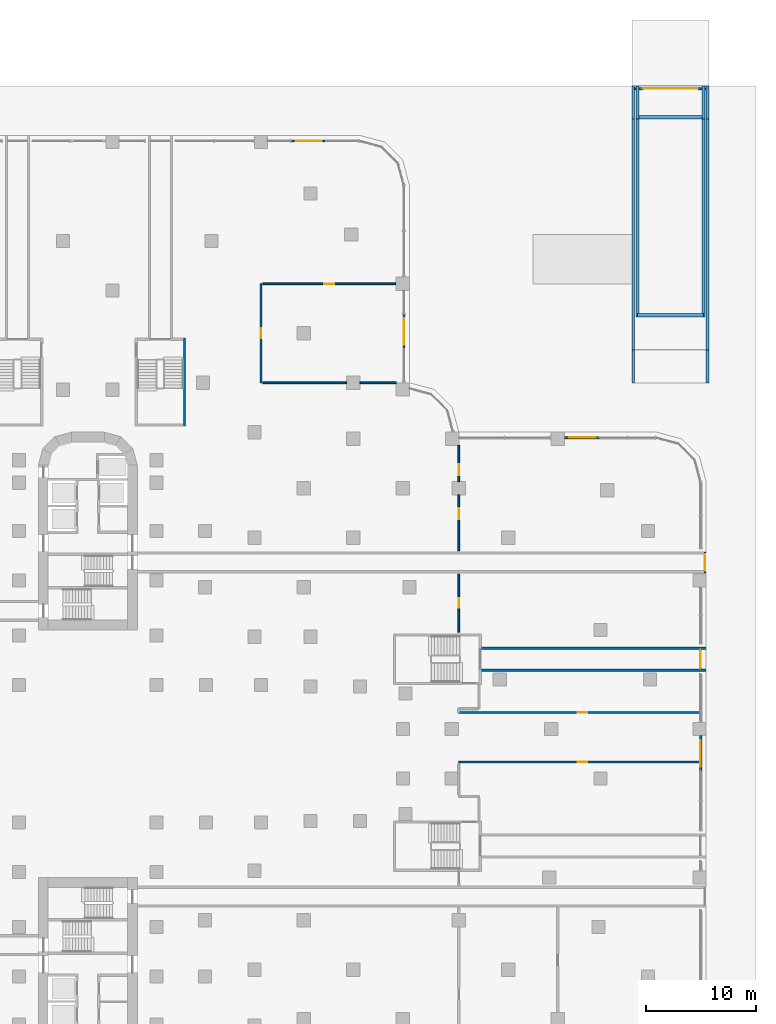
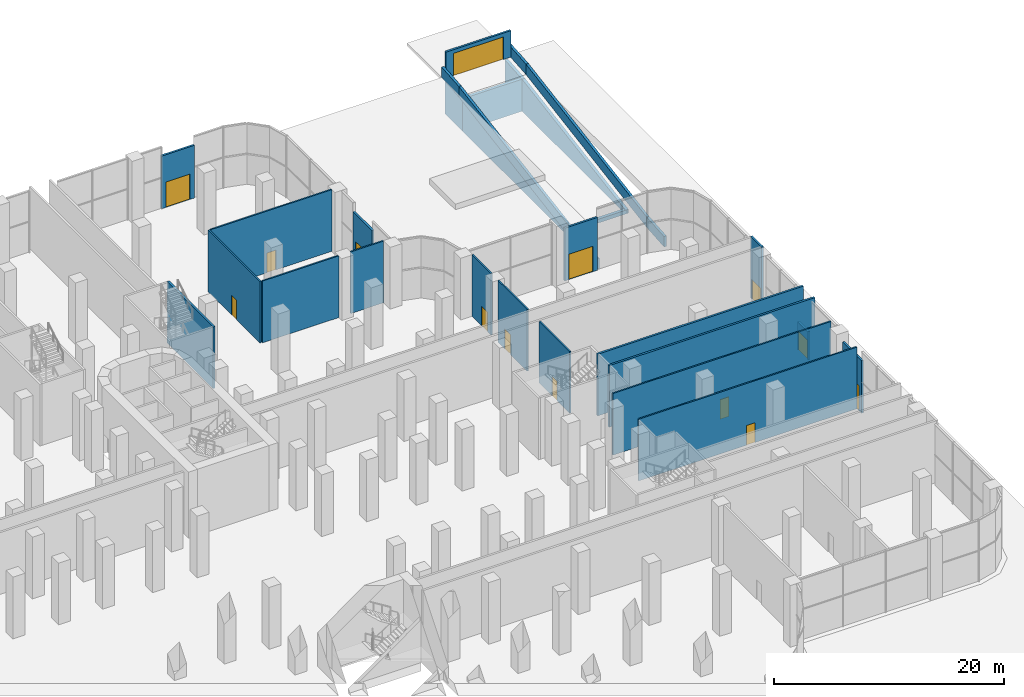
# One storey, part 27 of 34: 31 walls, 14 doors, 14 openings.
"""IFC4 building model written with IfcOpenShell, lengths in metres."""

from ifc_helpers import new_model, si_unit, direction, frame, frame_2d, origin, place, context, subcontext, project, spatial, polyline, rectangle, outline, extrude, material, layer, layer_set, type_object, element, fill, save


model = new_model("IFC4")

# Units and contexts
model_context = context("Model", 3, precision=1e-05, world=origin(), true_north=direction((0.0, 1.0)))
body_context = subcontext(model_context, "Body", "Model", "MODEL_VIEW")
ifc_project = project(units=[si_unit("LENGTHUNIT", "METRE"), si_unit("AREAUNIT", "SQUARE_METRE"), si_unit("VOLUMEUNIT", "CUBIC_METRE"), si_unit("PLANEANGLEUNIT", "RADIAN"), si_unit("MASSUNIT", "GRAM", prefix="KILO")], contexts=[model_context])

# Site, building, storey
site_placement = place(None, origin())
site = spatial("IfcSite", under=ifc_project, at=site_placement, CompositionType="ELEMENT")
building_placement = place(site_placement, origin())
building = spatial("IfcBuilding", under=site, at=building_placement, Name="Zarbagh Exchange Tower", CompositionType="ELEMENT")
storey_placement = place(building_placement, origin())
storey = spatial("IfcBuildingStorey", under=building, at=storey_placement, Name="L00", CompositionType="ELEMENT", Elevation=0.0)

# Wall, opening, door
ifc_material_1 = material(Name="Plasterboard partition")
ifc_layer_1 = layer(ifc_material_1, 0.14990234375)
ifc_layer_set_1 = layer_set([ifc_layer_1], Name="Board partition 150")
wall_type_1 = type_object("IfcWallType", Name="Board partition 150", PredefinedType="PARTITIONING", material=ifc_layer_set_1)
wall_1_placement = place(storey_placement, frame((15.75, 42.75, 0.0), z_axis=(0.0, 0.0, 1.0), x_axis=(0.0, -1.0, 0.0)))
wall_1 = element("IfcWall", 1, at=wall_1_placement, inside=storey, type_object=wall_type_1, Name="WL-L00-W010", PredefinedType="PARTITIONING", context=body_context, shape_type="SweptSolid", body=[
    extrude(rectangle(XDim=9.0, YDim=0.14990234375, at=frame_2d((4.5, 0.0))), origin(), (0.0, 0.0, 1.0), 6.550048828125),
])
opening_1_placement = place(wall_1_placement, frame((4.050048828125, 0.0, 0.0)))
opening_1 = element("IfcOpeningElement", 2, at=opening_1_placement, cuts=wall_1, Name="Opening D32", PredefinedType="OPENING", context=body_context, shape_type="SweptSolid", body=[
    extrude(rectangle(XDim=0.89990234375, YDim=2.10009765625, at=frame_2d((0.449951171875, 1.050048828125))), frame((0.0, 0.0849609375, 0.0), z_axis=(0.0, -1.0, 0.0), x_axis=(1.0, 0.0, 0.0)), (0.0, 0.0, 1.0), 0.169921875),
])
ifc_material_2 = material(Name="Timber door leaf", Category="wood")
door_type_1 = type_object("IfcDoorType", Name="Door single 900x2100", OperationType="SINGLE_SWING_LEFT", PredefinedType="DOOR", material=ifc_material_2)
door_1_placement = place(opening_1_placement, origin())
door_1 = element("IfcDoor", 3, at=door_1_placement, inside=storey, type_object=door_type_1, Name="D02", OperationType="SINGLE_SWING_LEFT", OverallHeight=2.10009765625, OverallWidth=0.89990234375, PredefinedType="DOOR", context=body_context, shape_type="SweptSolid", body=[
    extrude(rectangle(XDim=0.89990234375, YDim=2.10009765625, at=frame_2d((0.449951171875, 1.050048828125))), frame((0.0, 0.02490234375, 0.0), z_axis=(0.0, -1.0, 0.0), x_axis=(1.0, 0.0, 0.0)), (0.0, 0.0, 1.0), 0.050048828125),
])
fill(opening_1, door_1)

wall_2_placement = place(storey_placement, frame((15.89990234375, 42.75, 0.0), z_axis=(0.0, 0.0, 1.0), x_axis=(1.0, 0.0, 0.0)))
wall_2 = element("IfcWall", 4, at=wall_2_placement, inside=storey, type_object=wall_type_1, Name="WL-L00-W018", PredefinedType="PARTITIONING", context=body_context, shape_type="SweptSolid", body=[
    extrude(rectangle(XDim=12.150146484375, YDim=0.14990234375, at=frame_2d((6.0751953125, 0.0))), origin(), (0.0, 0.0, 1.0), 6.550048828125),
])
opening_2_placement = place(wall_2_placement, frame((5.625, 0.0, 0.0)))
opening_2 = element("IfcOpeningElement", 5, at=opening_2_placement, cuts=wall_2, Name="Opening D41", PredefinedType="OPENING", context=body_context, shape_type="SweptSolid", body=[
    extrude(rectangle(XDim=0.89990234375, YDim=2.10009765625, at=frame_2d((0.449951171875, 1.050048828125))), frame((0.0, 0.0849609375, 0.0), z_axis=(0.0, -1.0, 0.0), x_axis=(1.0, 0.0, 0.0)), (0.0, 0.0, 1.0), 0.169921875),
])
door_2_placement = place(opening_2_placement, origin())
door_2 = element("IfcDoor", 6, at=door_2_placement, inside=storey, type_object=door_type_1, Name="D05", OperationType="SINGLE_SWING_LEFT", OverallHeight=2.10009765625, OverallWidth=0.89990234375, PredefinedType="DOOR", context=body_context, shape_type="SweptSolid", body=[
    extrude(rectangle(XDim=0.89990234375, YDim=2.10009765625, at=frame_2d((0.449951171875, 1.050048828125))), frame((0.0, 0.02490234375, 0.0), z_axis=(0.0, -1.0, 0.0), x_axis=(1.0, 0.0, 0.0)), (0.0, 0.0, 1.0), 0.050048828125),
])
fill(opening_2, door_2)

# Walls
wall_3_placement = place(storey_placement, frame((28.050048828125, 33.75, 0.0), z_axis=(0.0, 0.0, 1.0), x_axis=(-1.0, 0.0, 0.0)))
element("IfcWall", 7, at=wall_3_placement, inside=storey, type_object=wall_type_1, Name="WL-L00-W019", PredefinedType="PARTITIONING", context=body_context, shape_type="SweptSolid", body=[
    extrude(rectangle(XDim=3.300048828125, YDim=0.14990234375, at=frame_2d((1.64990234375, 0.0))), origin(), (0.0, 0.0, 1.0), 6.550048828125),
])
wall_4_placement = place(storey_placement, frame((23.550048828125, 33.75, 0.0), z_axis=(0.0, 0.0, 1.0), x_axis=(-1.0, 0.0, 0.0)))
element("IfcWall", 8, at=wall_4_placement, inside=storey, type_object=wall_type_1, Name="WL-L00-W020", PredefinedType="PARTITIONING", context=body_context, shape_type="SweptSolid", body=[
    extrude(rectangle(XDim=7.650146484375, YDim=0.14990234375, at=frame_2d((3.8251953125, 0.0))), origin(), (0.0, 0.0, 1.0), 6.550048828125),
])

# Wall, opening, door
wall_5_placement = place(storey_placement, frame((33.75, 23.550048828125, 0.0), z_axis=(0.0, 0.0, 1.0), x_axis=(0.0, -1.0, 0.0)))
wall_5 = element("IfcWall", 9, at=wall_5_placement, inside=storey, type_object=wall_type_1, Name="WL-L00-W021", PredefinedType="PARTITIONING", context=body_context, shape_type="SweptSolid", body=[
    extrude(rectangle(XDim=5.10009765625, YDim=0.14990234375, at=frame_2d((2.550048828125, 0.0))), origin(), (0.0, 0.0, 1.0), 6.550048828125),
])
opening_3_placement = place(wall_5_placement, frame((1.199951171875, 0.0, 0.0)))
opening_3 = element("IfcOpeningElement", 10, at=opening_3_placement, cuts=wall_5, Name="Opening D43", PredefinedType="OPENING", context=body_context, shape_type="SweptSolid", body=[
    extrude(rectangle(XDim=1.0, YDim=2.10009765625, at=frame_2d((0.5, 1.050048828125))), frame((0.0, 0.0849609375, 0.0), z_axis=(0.0, -1.0, 0.0), x_axis=(1.0, 0.0, 0.0)), (0.0, 0.0, 1.0), 0.169921875),
])
door_type_2 = type_object("IfcDoorType", Name="Door single 1000x2100", OperationType="SINGLE_SWING_LEFT", PredefinedType="DOOR", material=ifc_material_2)
door_3_placement = place(opening_3_placement, origin())
door_3 = element("IfcDoor", 11, at=door_3_placement, inside=storey, type_object=door_type_2, Name="D06", OperationType="SINGLE_SWING_LEFT", OverallHeight=2.10009765625, OverallWidth=1.0, PredefinedType="DOOR", context=body_context, shape_type="SweptSolid", body=[
    extrude(rectangle(XDim=1.0, YDim=2.10009765625, at=frame_2d((0.5, 1.050048828125))), frame((0.0, 0.02490234375, 0.0), z_axis=(0.0, -1.0, 0.0), x_axis=(1.0, 0.0, 0.0)), (0.0, 0.0, 1.0), 0.050048828125),
])
fill(opening_3, door_3)

wall_6_placement = place(storey_placement, frame((33.75, 28.050048828125, 0.0), z_axis=(0.0, 0.0, 1.0), x_axis=(0.0, -1.0, 0.0)))
wall_6 = element("IfcWall", 12, at=wall_6_placement, inside=storey, type_object=wall_type_1, Name="WL-L00-W022", PredefinedType="PARTITIONING", context=body_context, shape_type="SweptSolid", body=[
    extrude(rectangle(XDim=3.300048828125, YDim=0.14990234375, at=frame_2d((1.64990234375, 0.0))), origin(), (0.0, 0.0, 1.0), 6.550048828125),
])
opening_4_placement = place(wall_6_placement, frame((1.699951171875, 0.0, 0.0)))
opening_4 = element("IfcOpeningElement", 13, at=opening_4_placement, cuts=wall_6, Name="Opening D48", PredefinedType="OPENING", context=body_context, shape_type="SweptSolid", body=[
    extrude(rectangle(XDim=1.0, YDim=2.10009765625, at=frame_2d((0.5, 1.050048828125))), frame((0.0, 0.0849609375, 0.0), z_axis=(0.0, -1.0, 0.0), x_axis=(1.0, 0.0, 0.0)), (0.0, 0.0, 1.0), 0.169921875),
])
door_4_placement = place(opening_4_placement, origin())
door_4 = element("IfcDoor", 14, at=door_4_placement, inside=storey, type_object=door_type_2, Name="D07", OperationType="SINGLE_SWING_LEFT", OverallHeight=2.10009765625, OverallWidth=1.0, PredefinedType="DOOR", context=body_context, shape_type="SweptSolid", body=[
    extrude(rectangle(XDim=1.0, YDim=2.10009765625, at=frame_2d((0.5, 1.050048828125))), frame((0.0, 0.02490234375, 0.0), z_axis=(0.0, -1.0, 0.0), x_axis=(1.0, 0.0, 0.0)), (0.0, 0.0, 1.0), 0.050048828125),
])
fill(opening_4, door_4)

wall_7_placement = place(storey_placement, frame((33.75, 3.75, 0.0), z_axis=(0.0, 0.0, 1.0), x_axis=(1.0, 0.0, 0.0)))
wall_7 = element("IfcWall", 15, at=wall_7_placement, inside=storey, type_object=wall_type_1, Name="WL-L00-W023", PredefinedType="PARTITIONING", context=body_context, shape_type="SweptSolid", body=[
    extrude(rectangle(XDim=21.89990234375, YDim=0.14990234375, at=frame_2d((10.949951171875, 0.0))), origin(), (0.0, 0.0, 1.0), 6.550048828125),
])
opening_5_placement = place(wall_7_placement, frame((10.800048828125, 0.0, 0.0)))
opening_5 = element("IfcOpeningElement", 16, at=opening_5_placement, cuts=wall_7, Name="Opening D49", PredefinedType="OPENING", context=body_context, shape_type="SweptSolid", body=[
    extrude(rectangle(XDim=0.89990234375, YDim=2.10009765625, at=frame_2d((0.449951171875, 1.050048828125))), frame((0.0, 0.0849609375, 0.0), z_axis=(0.0, -1.0, 0.0), x_axis=(1.0, 0.0, 0.0)), (0.0, 0.0, 1.0), 0.169921875),
])
door_5_placement = place(opening_5_placement, origin())
door_5 = element("IfcDoor", 17, at=door_5_placement, inside=storey, type_object=door_type_1, Name="D08", OperationType="SINGLE_SWING_LEFT", OverallHeight=2.10009765625, OverallWidth=0.89990234375, PredefinedType="DOOR", context=body_context, shape_type="SweptSolid", body=[
    extrude(rectangle(XDim=0.89990234375, YDim=2.10009765625, at=frame_2d((0.449951171875, 1.050048828125))), frame((0.0, 0.02490234375, 0.0), z_axis=(0.0, -1.0, 0.0), x_axis=(1.0, 0.0, 0.0)), (0.0, 0.0, 1.0), 0.050048828125),
])
fill(opening_5, door_5)

wall_8_placement = place(storey_placement, frame((55.64990234375, -0.75, 0.0), z_axis=(0.0, 0.0, 1.0), x_axis=(-1.0, 0.0, 0.0)))
wall_8 = element("IfcWall", 18, at=wall_8_placement, inside=storey, type_object=wall_type_1, Name="WL-L00-W024", PredefinedType="PARTITIONING", context=body_context, shape_type="SweptSolid", body=[
    extrude(rectangle(XDim=21.89990234375, YDim=0.14990234375, at=frame_2d((10.949951171875, 0.0))), origin(), (0.0, 0.0, 1.0), 6.550048828125),
])
opening_6_placement = place(wall_8_placement, frame((10.199951171875, 0.0, 0.0)))
opening_6 = element("IfcOpeningElement", 19, at=opening_6_placement, cuts=wall_8, Name="Opening D09", PredefinedType="OPENING", context=body_context, shape_type="SweptSolid", body=[
    extrude(rectangle(XDim=0.89990234375, YDim=2.10009765625, at=frame_2d((0.449951171875, 1.050048828125))), frame((0.0, 0.0849609375, 0.0), z_axis=(0.0, -1.0, 0.0), x_axis=(1.0, 0.0, 0.0)), (0.0, 0.0, 1.0), 0.169921875),
])
door_6_placement = place(opening_6_placement, origin())
door_6 = element("IfcDoor", 20, at=door_6_placement, inside=storey, type_object=door_type_1, Name="D09", OperationType="SINGLE_SWING_LEFT", OverallHeight=2.10009765625, OverallWidth=0.89990234375, PredefinedType="DOOR", context=body_context, shape_type="SweptSolid", body=[
    extrude(rectangle(XDim=0.89990234375, YDim=2.10009765625, at=frame_2d((0.449951171875, 1.050048828125))), frame((0.0, 0.02490234375, 0.0), z_axis=(0.0, -1.0, 0.0), x_axis=(1.0, 0.0, 0.0)), (0.0, 0.0, 1.0), 0.050048828125),
])
fill(opening_6, door_6)

wall_9_placement = place(storey_placement, frame((33.75, 16.35009765625, 0.0), z_axis=(0.0, 0.0, 1.0), x_axis=(0.0, -1.0, 0.0)))
wall_9 = element("IfcWall", 21, at=wall_9_placement, inside=storey, type_object=wall_type_1, Name="WL-L00-W025", PredefinedType="PARTITIONING", context=body_context, shape_type="SweptSolid", body=[
    extrude(rectangle(XDim=5.280029296875, YDim=0.14990234375, at=frame_2d((2.64013671875, 0.0))), origin(), (0.0, 0.0, 1.0), 6.550048828125),
])
opening_7_placement = place(wall_9_placement, frame((2.18994140625, 0.0, 0.0)))
opening_7 = element("IfcOpeningElement", 22, at=opening_7_placement, cuts=wall_9, Name="Opening D10", PredefinedType="OPENING", context=body_context, shape_type="SweptSolid", body=[
    extrude(rectangle(XDim=0.89990234375, YDim=2.10009765625, at=frame_2d((0.449951171875, 1.050048828125))), frame((0.0, 0.0849609375, 0.0), z_axis=(0.0, -1.0, 0.0), x_axis=(1.0, 0.0, 0.0)), (0.0, 0.0, 1.0), 0.169921875),
])
door_7_placement = place(opening_7_placement, origin())
door_7 = element("IfcDoor", 23, at=door_7_placement, inside=storey, type_object=door_type_1, Name="D10", OperationType="SINGLE_SWING_LEFT", OverallHeight=2.10009765625, OverallWidth=0.89990234375, PredefinedType="DOOR", context=body_context, shape_type="SweptSolid", body=[
    extrude(rectangle(XDim=0.89990234375, YDim=2.10009765625, at=frame_2d((0.449951171875, 1.050048828125))), frame((0.0, 0.02490234375, 0.0), z_axis=(0.0, -1.0, 0.0), x_axis=(1.0, 0.0, 0.0)), (0.0, 0.0, 1.0), 0.050048828125),
])
fill(opening_7, door_7)

ifc_material_3 = material(Name="Concrete C40/50", Category="concrete")
ifc_layer_2 = layer(ifc_material_3, 0.199951171875)
ifc_layer_set_2 = layer_set([ifc_layer_2], Name="Ramp gate wall, concrete C40/50")
wall_type_2 = type_object("IfcWallType", Name="Ramp gate wall, concrete C40/50", PredefinedType="SOLIDWALL", material=ifc_layer_set_2)
wall_10_placement = place(storey_placement, frame((49.75, 60.5, 0.0), z_axis=(0.0, 0.0, 1.0), x_axis=(1.0, 0.0, 0.0)))
wall_10 = element("IfcWall", 24, at=wall_10_placement, inside=storey, type_object=wall_type_2, Name="VW01 ramp gate wall", PredefinedType="SOLIDWALL", context=body_context, shape_type="SweptSolid", body=[
    extrude(rectangle(XDim=6.5, YDim=0.199951171875, at=frame_2d((3.25, 0.0))), origin(), (0.0, 0.0, 1.0), 2.800048828125),
])
opening_8_placement = place(wall_10_placement, frame((0.75, 0.0, 0.0)))
opening_8 = element("IfcOpeningElement", 25, at=opening_8_placement, cuts=wall_10, Name="Opening VG01", PredefinedType="OPENING", context=body_context, shape_type="SweptSolid", body=[
    extrude(rectangle(XDim=5.0, YDim=2.39990234375, at=frame_2d((2.5, 1.199951171875))), frame((0.0, 0.10986328125, 0.0), z_axis=(0.0, -1.0, 0.0), x_axis=(1.0, 0.0, 0.0)), (0.0, 0.0, 1.0), 0.219970703125),
])
ifc_material_4 = material(Name="Galvanised steel", Category="steel")
door_type_3 = type_object("IfcDoorType", Name="Vehicle gate, sliding steel", OperationType="SLIDING_TO_LEFT", PredefinedType="GATE", material=ifc_material_4)
door_8_placement = place(opening_8_placement, origin())
door_8 = element("IfcDoor", 26, at=door_8_placement, inside=storey, type_object=door_type_3, Name="VG01 vehicle gate", OperationType="SINGLE_SWING_LEFT", OverallHeight=2.39990234375, OverallWidth=5.0, PredefinedType="GATE", context=body_context, shape_type="SweptSolid", body=[
    extrude(rectangle(XDim=5.0, YDim=2.39990234375, at=frame_2d((2.5, 1.199951171875))), frame((0.0, 0.02490234375, 0.0), z_axis=(0.0, -1.0, 0.0), x_axis=(1.0, 0.0, 0.0)), (0.0, 0.0, 1.0), 0.050048828125),
])
fill(opening_8, door_8)

# Walls
ifc_layer_3 = layer(ifc_material_3, 0.25)
ifc_layer_set_3 = layer_set([ifc_layer_3], Name="Ramp parapet 250 C40/50")
wall_type_3 = type_object("IfcWallType", Name="Ramp parapet 250 C40/50", PredefinedType="PARAPET", material=ifc_layer_set_3)
for number, where, z_axis, x_axis, name in (
    (27, (49.625, 57.75, -0.25), (0.0, 0.0, 1.0), (0.0, 1.0, 0.0), "Ramp parapet R1 1W"),
    (28, (56.375, 57.75, -0.25), (0.0, 0.0, 1.0), (0.0, 1.0, 0.0), "Ramp parapet R1 1E"),
):
    element("IfcWall", number, at=place(storey_placement, frame(where, z_axis=z_axis, x_axis=x_axis)), inside=storey, type_object=wall_type_3, Name=name, PredefinedType="PARAPET", context=body_context, shape_type="SweptSolid", body=[
        extrude(outline(polyline([(0.0, 0.0), (3.0, 0.25), (3.0, 1.35009765625), (0.0, 1.10009765625), (0.0, 0.0)])), frame((0.0, 0.125, 0.0), z_axis=(0.0, -1.0, 0.0), x_axis=(1.0, 0.0, 0.0)), (0.0, 0.0, 1.0), 0.25),
    ])
for number, where, z_axis, x_axis, name in (
    (29, (49.625, 36.75, -3.75), (0.0, 0.0, 1.0), (0.0, 1.0, 0.0), "Ramp parapet R1 2W"),
    (30, (56.375, 36.75, -3.75), (0.0, 0.0, 1.0), (0.0, 1.0, 0.0), "Ramp parapet R1 2E"),
):
    element("IfcWall", number, at=place(storey_placement, frame(where, z_axis=z_axis, x_axis=x_axis)), inside=storey, type_object=wall_type_3, Name=name, PredefinedType="PARAPET", context=body_context, shape_type="SweptSolid", body=[
        extrude(outline(polyline([(0.0, 0.0), (21.0, 3.5), (21.0, 4.60009765625), (0.0, 1.10009765625), (0.0, 0.0)])), frame((0.0, 0.125, 0.0), z_axis=(0.0, -1.0, 0.0), x_axis=(1.0, 0.0, 0.0)), (0.0, 0.0, 1.0), 0.25),
    ])
for number, where, z_axis, x_axis, name in (
    (31, (49.625, 33.75, -4.0), (0.0, 0.0, 1.0), (0.0, 1.0, 0.0), "Ramp parapet R1 3W"),
    (32, (56.375, 33.75, -4.0), (0.0, 0.0, 1.0), (0.0, 1.0, 0.0), "Ramp parapet R1 3E"),
):
    element("IfcWall", number, at=place(storey_placement, frame(where, z_axis=z_axis, x_axis=x_axis)), inside=storey, type_object=wall_type_3, Name=name, PredefinedType="PARAPET", context=body_context, shape_type="SweptSolid", body=[
        extrude(outline(polyline([(0.0, 0.0), (3.0, 0.25), (3.0, 1.35009765625), (0.0, 1.10009765625), (0.0, 0.0)])), frame((0.0, 0.125, 0.0), z_axis=(0.0, -1.0, 0.0), x_axis=(1.0, 0.0, 0.0)), (0.0, 0.0, 1.0), 0.25),
    ])
ifc_layer_4 = layer(ifc_material_3, 0.300048828125)
ifc_layer_set_4 = layer_set([ifc_layer_4], Name="Ramp support wall 300 C40/50")
wall_type_4 = type_object("IfcWallType", Name="Ramp support wall 300 C40/50", PredefinedType="SOLIDWALL", material=ifc_layer_set_4)
for number, where, z_axis, x_axis, name in (
    (33, (50.0, 57.75, -4.0), (0.0, 0.0, 1.0), (0.0, 1.0, 0.0), "Ramp support wall R1 1W"),
    (34, (56.0, 57.75, -4.0), (0.0, 0.0, 1.0), (0.0, 1.0, 0.0), "Ramp support wall R1 1E"),
):
    element("IfcWall", number, at=place(storey_placement, frame(where, z_axis=z_axis, x_axis=x_axis)), inside=storey, type_object=wall_type_4, Name=name, PredefinedType="SOLIDWALL", context=body_context, shape_type="SweptSolid", body=[
        extrude(outline(polyline([(0.0, 0.0), (3.0, 0.0), (3.0, 3.64990234375), (0.0, 3.39990234375), (0.0, 0.0)])), frame((0.0, 0.14990234375, 0.0), z_axis=(0.0, -1.0, 0.0), x_axis=(1.0, 0.0, 0.0)), (0.0, 0.0, 1.0), 0.300048828125),
    ])
wall_11_placement = place(storey_placement, frame((50.0, 57.89990234375, -4.0), z_axis=(0.0, 0.0, 1.0), x_axis=(1.0, 0.0, 0.0)))
element("IfcWall", 35, at=wall_11_placement, inside=storey, type_object=wall_type_4, Name="Ramp support wall R1 1X", PredefinedType="SOLIDWALL", context=body_context, shape_type="SweptSolid", body=[
    extrude(rectangle(XDim=6.0, YDim=0.300048828125, at=frame_2d((3.0, 0.0))), origin(), (0.0, 0.0, 1.0), 3.39990234375),
])
for number, where, z_axis, x_axis, name in (
    (36, (50.0, 39.75, -4.0), (0.0, 0.0, 1.0), (0.0, 1.0, 0.0), "Ramp support wall R1 2W"),
    (37, (56.0, 39.75, -4.0), (0.0, 0.0, 1.0), (0.0, 1.0, 0.0), "Ramp support wall R1 2E"),
):
    element("IfcWall", number, at=place(storey_placement, frame(where, z_axis=z_axis, x_axis=x_axis)), inside=storey, type_object=wall_type_4, Name=name, PredefinedType="SOLIDWALL", context=body_context, shape_type="SweptSolid", body=[
        extrude(outline(polyline([(0.0, 0.0), (18.0, 0.0), (18.0, 3.39990234375), (0.0, 0.39990234375), (0.0, 0.0)])), frame((0.0, 0.14990234375, 0.0), z_axis=(0.0, -1.0, 0.0), x_axis=(1.0, 0.0, 0.0)), (0.0, 0.0, 1.0), 0.300048828125),
    ])
wall_12_placement = place(storey_placement, frame((50.0, 39.89990234375, -4.0), z_axis=(0.0, 0.0, 1.0), x_axis=(1.0, 0.0, 0.0)))
element("IfcWall", 38, at=wall_12_placement, inside=storey, type_object=wall_type_4, Name="Ramp support wall R1 2X", PredefinedType="SOLIDWALL", context=body_context, shape_type="SweptSolid", body=[
    extrude(rectangle(XDim=6.0, YDim=0.300048828125, at=frame_2d((3.0, 0.0))), origin(), (0.0, 0.0, 1.0), 0.39990234375),
])

# Wall, opening, door
ifc_material_5 = material(Name="Dense blockwork", Category="masonry")
ifc_layer_5 = layer(ifc_material_5, 0.199951171875)
ifc_layer_set_5 = layer_set([ifc_layer_5], Name="Shaft wall 200 mm blockwork")
wall_type_5 = type_object("IfcWallType", Name="Shaft wall 200 mm blockwork", PredefinedType="PARTITIONING", material=ifc_layer_set_5)
wall_13_placement = place(storey_placement, frame((56.14990234375, 18.35009765625, 0.0), z_axis=(0.0, 0.0, 1.0), x_axis=(0.0, -1.0, 0.0)))
wall_13 = element("IfcWall", 39, at=wall_13_placement, inside=storey, type_object=wall_type_5, Name="Exit passage ST1 wall E", PredefinedType="PARTITIONING", context=body_context, shape_type="SweptSolid", body=[
    extrude(rectangle(XDim=1.900146484375, YDim=0.199951171875, at=frame_2d((0.9501953125, 0.0))), origin(), (0.0, 0.0, 1.0), 6.550048828125),
])
opening_9_placement = place(wall_13_placement, frame((0.199951171875, 0.0, 0.0)))
opening_9 = element("IfcOpeningElement", 40, at=opening_9_placement, cuts=wall_13, Name="Opening XD1-1500", PredefinedType="OPENING", context=body_context, shape_type="SweptSolid", body=[
    extrude(rectangle(XDim=1.5, YDim=2.10009765625, at=frame_2d((0.75, 1.050048828125))), frame((0.0, 0.10986328125, 0.0), z_axis=(0.0, -1.0, 0.0), x_axis=(1.0, 0.0, 0.0)), (0.0, 0.0, 1.0), 0.219970703125),
])
ifc_material_6 = material(Name="Steel", Category="steel")
door_type_4 = type_object("IfcDoorType", Name="Exit passage double door 1500 x 2100", OperationType="NOTDEFINED", PredefinedType="DOOR", material=ifc_material_6)
door_9_placement = place(opening_9_placement, origin())
door_9 = element("IfcDoor", 41, at=door_9_placement, inside=storey, type_object=door_type_4, Name="Exit passage ST1 door", OperationType="DOUBLE_DOOR_DOUBLE_SWING", OverallHeight=2.10009765625, OverallWidth=1.5, PredefinedType="DOOR", context=body_context, shape_type="SweptSolid", body=[
    extrude(rectangle(XDim=1.5, YDim=2.10009765625, at=frame_2d((0.75, 1.050048828125))), frame((0.0, 0.02490234375, 0.0), z_axis=(0.0, -1.0, 0.0), x_axis=(1.0, 0.0, 0.0)), (0.0, 0.0, 1.0), 0.050048828125),
])
fill(opening_9, door_9)

# Walls
for number, where, z_axis, x_axis, name in (
    (42, (35.60009765625, 7.60009765625, 0.0), (0.0, 0.0, 1.0), (1.0, 0.0, 0.0), "Exit passage PS3 wall A"),
    (43, (35.60009765625, 9.60009765625, 0.0), (0.0, 0.0, 1.0), (1.0, 0.0, 0.0), "Exit passage PS3 wall B"),
):
    element("IfcWall", number, at=place(storey_placement, frame(where, z_axis=z_axis, x_axis=x_axis)), inside=storey, type_object=wall_type_5, Name=name, PredefinedType="PARTITIONING", context=body_context, shape_type="SweptSolid", body=[
        extrude(rectangle(XDim=20.64990234375, YDim=0.199951171875, at=frame_2d((10.324951171875, 0.0))), origin(), (0.0, 0.0, 1.0), 6.550048828125),
    ])
ifc_layer_6 = layer(ifc_material_3, 0.199951171875)
ifc_layer_set_6 = layer_set([ifc_layer_6], Name="Stair enclosure wall 200 mm RC C40/50")
wall_type_6 = type_object("IfcWallType", Name="Stair enclosure wall 200 mm RC C40/50", PredefinedType="SHEAR", material=ifc_layer_set_6)
wall_14_placement = place(storey_placement, frame((8.800048828125, 29.800048828125, 0.0), z_axis=(0.0, 0.0, 1.0), x_axis=(0.0, 1.0, 0.0)))
element("IfcWall", 44, at=wall_14_placement, inside=storey, type_object=wall_type_6, Name="Exit stair PS2 enclosure wall E", PredefinedType="SHEAR", context=body_context, shape_type="SweptSolid", body=[
    extrude(rectangle(XDim=8.0, YDim=0.199951171875, at=frame_2d((4.0, 0.0))), origin(), (0.0, 0.0, 1.0), 6.550048828125),
])

# Wall, opening, door
ifc_material_7 = material(Name="Precast concrete C50/60", Category="concrete")
ifc_layer_7 = layer(ifc_material_7, 0.199951171875)
ifc_layer_set_7 = layer_set([ifc_layer_7], Name="Terrace door wall, precast concrete C50/60")
wall_type_7 = type_object("IfcWallType", Name="Terrace door wall, precast concrete C50/60", PredefinedType="SOLIDWALL", material=ifc_layer_set_7)
wall_15_placement = place(storey_placement, frame((18.4599609375, 55.75, 0.0), z_axis=(0.0, 0.0, 1.0), x_axis=(1.0, 0.0, 0.0)))
wall_15 = element("IfcWall", 45, at=wall_15_placement, inside=storey, type_object=wall_type_7, Name="EW01 exterior wall", PredefinedType="SOLIDWALL", context=body_context, shape_type="SweptSolid", body=[
    extrude(rectangle(XDim=3.280029296875, YDim=0.199951171875, at=frame_2d((1.64013671875, 0.0))), origin(), (0.0, 0.0, 1.0), 5.60009765625),
])
opening_10_placement = place(wall_15_placement, frame((0.43994140625, 0.0, 0.0)))
opening_10 = element("IfcOpeningElement", 46, at=opening_10_placement, cuts=wall_15, Name="Opening ED01", PredefinedType="OPENING", context=body_context, shape_type="SweptSolid", body=[
    extrude(rectangle(XDim=2.39990234375, YDim=2.699951171875, at=frame_2d((1.199951171875, 1.35009765625))), frame((0.0, 0.10986328125, 0.0), z_axis=(0.0, -1.0, 0.0), x_axis=(1.0, 0.0, 0.0)), (0.0, 0.0, 1.0), 0.219970703125),
])
ifc_material_8 = material(Name="Anodised aluminium and glass", Category="aluminium")
door_type_5 = type_object("IfcDoorType", Name="Entrance door, double leaf, glazed aluminium", OperationType="DOUBLE_DOOR_DOUBLE_SWING", PredefinedType="DOOR", material=ifc_material_8)
door_10_placement = place(opening_10_placement, origin())
door_10 = element("IfcDoor", 47, at=door_10_placement, inside=storey, type_object=door_type_5, Name="ED01 exterior door", OperationType="SINGLE_SWING_LEFT", OverallHeight=2.699951171875, OverallWidth=2.39990234375, PredefinedType="DOOR", context=body_context, shape_type="SweptSolid", body=[
    extrude(rectangle(XDim=2.39990234375, YDim=2.699951171875, at=frame_2d((1.199951171875, 1.35009765625))), frame((0.0, 0.02490234375, 0.0), z_axis=(0.0, -1.0, 0.0), x_axis=(1.0, 0.0, 0.0)), (0.0, 0.0, 1.0), 0.050048828125),
])
fill(opening_10, door_10)

wall_16_placement = place(storey_placement, frame((28.75, 40.0400390625, 0.0), z_axis=(0.0, 0.0, 1.0), x_axis=(0.0, -1.0, 0.0)))
wall_16 = element("IfcWall", 48, at=wall_16_placement, inside=storey, type_object=wall_type_7, Name="EW01 exterior wall", PredefinedType="SOLIDWALL", context=body_context, shape_type="SweptSolid", body=[
    extrude(rectangle(XDim=3.280029296875, YDim=0.199951171875, at=frame_2d((1.64013671875, 0.0))), origin(), (0.0, 0.0, 1.0), 5.60009765625),
])
opening_11_placement = place(wall_16_placement, frame((0.43994140625, 0.0, 0.0)))
opening_11 = element("IfcOpeningElement", 49, at=opening_11_placement, cuts=wall_16, Name="Opening ED01", PredefinedType="OPENING", context=body_context, shape_type="SweptSolid", body=[
    extrude(rectangle(XDim=2.39990234375, YDim=2.699951171875, at=frame_2d((1.199951171875, 1.35009765625))), frame((0.0, 0.10986328125, 0.0), z_axis=(0.0, -1.0, 0.0), x_axis=(1.0, 0.0, 0.0)), (0.0, 0.0, 1.0), 0.219970703125),
])
door_11_placement = place(opening_11_placement, origin())
door_11 = element("IfcDoor", 50, at=door_11_placement, inside=storey, type_object=door_type_5, Name="ED01 exterior door", OperationType="SINGLE_SWING_LEFT", OverallHeight=2.699951171875, OverallWidth=2.39990234375, PredefinedType="DOOR", context=body_context, shape_type="SweptSolid", body=[
    extrude(rectangle(XDim=2.39990234375, YDim=2.699951171875, at=frame_2d((1.199951171875, 1.35009765625))), frame((0.0, 0.02490234375, 0.0), z_axis=(0.0, -1.0, 0.0), x_axis=(1.0, 0.0, 0.0)), (0.0, 0.0, 1.0), 0.050048828125),
])
fill(opening_11, door_11)

wall_17_placement = place(storey_placement, frame((43.349853515625, 28.75, 0.0), z_axis=(0.0, 0.0, 1.0), x_axis=(1.0, 0.0, 0.0)))
wall_17 = element("IfcWall", 51, at=wall_17_placement, inside=storey, type_object=wall_type_7, Name="EW01 exterior wall", PredefinedType="SOLIDWALL", context=body_context, shape_type="SweptSolid", body=[
    extrude(rectangle(XDim=3.280029296875, YDim=0.199951171875, at=frame_2d((1.64013671875, 0.0))), origin(), (0.0, 0.0, 1.0), 5.60009765625),
])
opening_12_placement = place(wall_17_placement, frame((0.43994140625, 0.0, 0.0)))
opening_12 = element("IfcOpeningElement", 52, at=opening_12_placement, cuts=wall_17, Name="Opening ED01", PredefinedType="OPENING", context=body_context, shape_type="SweptSolid", body=[
    extrude(rectangle(XDim=2.39990234375, YDim=2.699951171875, at=frame_2d((1.199951171875, 1.35009765625))), frame((0.0, 0.10986328125, 0.0), z_axis=(0.0, -1.0, 0.0), x_axis=(1.0, 0.0, 0.0)), (0.0, 0.0, 1.0), 0.219970703125),
])
door_12_placement = place(opening_12_placement, origin())
door_12 = element("IfcDoor", 53, at=door_12_placement, inside=storey, type_object=door_type_5, Name="ED01 exterior door", OperationType="SINGLE_SWING_LEFT", OverallHeight=2.699951171875, OverallWidth=2.39990234375, PredefinedType="DOOR", context=body_context, shape_type="SweptSolid", body=[
    extrude(rectangle(XDim=2.39990234375, YDim=2.699951171875, at=frame_2d((1.199951171875, 1.35009765625))), frame((0.0, 0.02490234375, 0.0), z_axis=(0.0, -1.0, 0.0), x_axis=(1.0, 0.0, 0.0)), (0.0, 0.0, 1.0), 0.050048828125),
])
fill(opening_12, door_12)

wall_18_placement = place(storey_placement, frame((55.75, 1.650146484375, 0.0), z_axis=(0.0, 0.0, 1.0), x_axis=(0.0, -1.0, 0.0)))
wall_18 = element("IfcWall", 54, at=wall_18_placement, inside=storey, type_object=wall_type_7, Name="EW01 exterior wall", PredefinedType="SOLIDWALL", context=body_context, shape_type="SweptSolid", body=[
    extrude(rectangle(XDim=3.280029296875, YDim=0.199951171875, at=frame_2d((1.64013671875, 0.0))), origin(), (0.0, 0.0, 1.0), 5.60009765625),
])
opening_13_placement = place(wall_18_placement, frame((0.43994140625, 0.0, 0.0)))
opening_13 = element("IfcOpeningElement", 55, at=opening_13_placement, cuts=wall_18, Name="Opening ED01", PredefinedType="OPENING", context=body_context, shape_type="SweptSolid", body=[
    extrude(rectangle(XDim=2.39990234375, YDim=2.699951171875, at=frame_2d((1.199951171875, 1.35009765625))), frame((0.0, 0.10986328125, 0.0), z_axis=(0.0, -1.0, 0.0), x_axis=(1.0, 0.0, 0.0)), (0.0, 0.0, 1.0), 0.219970703125),
])
door_13_placement = place(opening_13_placement, origin())
door_13 = element("IfcDoor", 56, at=door_13_placement, inside=storey, type_object=door_type_5, Name="ED01 exterior door", OperationType="SINGLE_SWING_LEFT", OverallHeight=2.699951171875, OverallWidth=2.39990234375, PredefinedType="DOOR", context=body_context, shape_type="SweptSolid", body=[
    extrude(rectangle(XDim=2.39990234375, YDim=2.699951171875, at=frame_2d((1.199951171875, 1.35009765625))), frame((0.0, 0.02490234375, 0.0), z_axis=(0.0, -1.0, 0.0), x_axis=(1.0, 0.0, 0.0)), (0.0, 0.0, 1.0), 0.050048828125),
])
fill(opening_13, door_13)

wall_19_placement = place(storey_placement, frame((55.75, 9.5, 0.0), z_axis=(0.0, 0.0, 1.0), x_axis=(0.0, -1.0, 0.0)))
wall_19 = element("IfcWall", 57, at=wall_19_placement, inside=storey, type_object=wall_type_7, Name="XW02 stair discharge wall", PredefinedType="SOLIDWALL", context=body_context, shape_type="SweptSolid", body=[
    extrude(rectangle(XDim=1.800048828125, YDim=0.199951171875, at=frame_2d((0.89990234375, 0.0))), origin(), (0.0, 0.0, 1.0), 3.0),
])
opening_14_placement = place(wall_19_placement, frame((0.050048828125, 0.0, 0.0)))
opening_14 = element("IfcOpeningElement", 58, at=opening_14_placement, cuts=wall_19, Name="Opening XD02", PredefinedType="OPENING", context=body_context, shape_type="SweptSolid", body=[
    extrude(rectangle(XDim=1.699951171875, YDim=2.10009765625, at=frame_2d((0.85009765625, 1.050048828125))), frame((0.0, 0.10986328125, 0.0), z_axis=(0.0, -1.0, 0.0), x_axis=(1.0, 0.0, 0.0)), (0.0, 0.0, 1.0), 0.219970703125),
])
door_type_6 = type_object("IfcDoorType", Name="Stair discharge door, double leaf, steel", OperationType="DOUBLE_DOOR_DOUBLE_SWING", PredefinedType="DOOR", material=ifc_material_4)
door_14_placement = place(opening_14_placement, origin())
door_14 = element("IfcDoor", 59, at=door_14_placement, inside=storey, type_object=door_type_6, Name="XD02 stair discharge door", OperationType="SINGLE_SWING_LEFT", OverallHeight=2.10009765625, OverallWidth=1.699951171875, PredefinedType="DOOR", context=body_context, shape_type="SweptSolid", body=[
    extrude(rectangle(XDim=1.699951171875, YDim=2.10009765625, at=frame_2d((0.85009765625, 1.050048828125))), frame((0.0, 0.02490234375, 0.0), z_axis=(0.0, -1.0, 0.0), x_axis=(1.0, 0.0, 0.0)), (0.0, 0.0, 1.0), 0.050048828125),
])
fill(opening_14, door_14)

save(model, "model.ifc")
